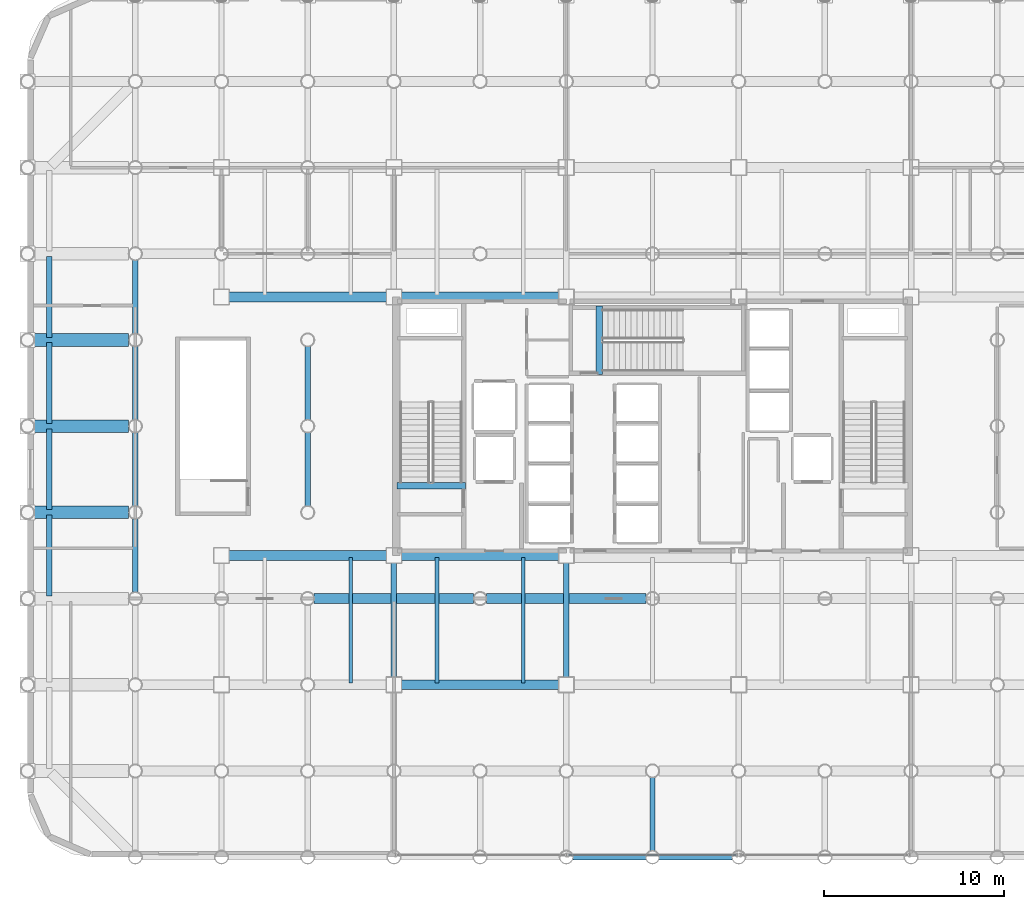
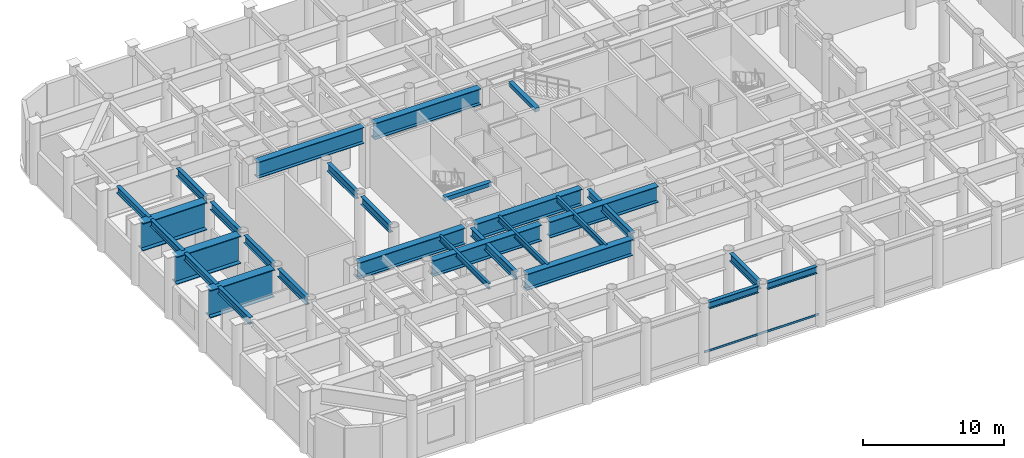
# One storey, part 3 of 20: 30 beams, 1 member, 1 element without a shape of its own.
"""IFC4 building model written with IfcOpenShell, lengths in metres."""

import ifcopenshell
import ifcopenshell.guid

model = None  # the IFC model being written
_history = None  # IfcOwnerHistory: only IFC2X3 demands one
_inside = {}  # id of a spatial element -> (the spatial element, [elements in it])
_under = {}  # id of a project, library or spatial element -> (it, [spatial elements below it])
_declared = {}  # id of a project -> (the project, [libraries it declares])
_typed = {}  # id of a type object -> (the type object, [elements of that type])
_made_of = {}  # id of a material, layer set ... -> (it, [elements and type objects made of it])


def new_model(schema):
    """Start an empty IFC model of exactly this schema.

    Asked for "IFC4X3", IfcOpenShell would pick the latest addendum, in which some entities
    have other attributes; the version numbers below select the first issue.
    IFC2X3 requires an IfcOwnerHistory on every rooted entity: one is made here for all.
    """
    global model, _history
    if schema == "IFC4X3":
        model = ifcopenshell.file(schema_version=(4, 3, 0, 0))
    else:
        model = ifcopenshell.file(schema=schema)
    _inside.clear()
    _under.clear()
    _declared.clear()
    _typed.clear()
    _made_of.clear()
    _history = None
    if model.schema == "IFC2X3":
        org = make("IfcOrganization", Name="unknown")
        user = make(
            "IfcPersonAndOrganization",
            ThePerson=make("IfcPerson", FamilyName="unknown"),
            TheOrganization=org,
        )
        app = make(
            "IfcApplication",
            ApplicationDeveloper=org,
            Version="unknown",
            ApplicationFullName="unknown",
            ApplicationIdentifier="unknown",
        )
        _history = make(
            "IfcOwnerHistory",
            OwningUser=user,
            OwningApplication=app,
            ChangeAction="ADDED",
            CreationDate=0,
        )
    return model


def make(cls, **values):
    """One entity of the class cls with the attributes given. An attribute that is None is left unset."""
    return model.create_entity(
        cls, **{name: value for name, value in values.items() if value is not None}
    )


def rooted(cls, **values):
    """An entity with a GlobalId (a new one), such as an element, a storey or a relation."""
    return make(cls, GlobalId=ifcopenshell.guid.new(), OwnerHistory=_history, **values)


def si_unit(unit_type, name, prefix=None):
    """IfcSIUnit, for example si_unit("LENGTHUNIT", "METRE", prefix="MILLI")."""
    return make("IfcSIUnit", UnitType=unit_type, Prefix=prefix, Name=name)


def assignment(units):
    """IfcUnitAssignment: the units of a project."""
    return None if units is None else make("IfcUnitAssignment", Units=units)


def point(xyz):
    """IfcCartesianPoint."""
    return None if xyz is None else make("IfcCartesianPoint", Coordinates=xyz)


def direction(xyz):
    """IfcDirection."""
    return None if xyz is None else make("IfcDirection", DirectionRatios=xyz)


def frame(location, z_axis=None, x_axis=None):
    """IfcAxis2Placement3D, a coordinate frame: its origin and axes. An axis left out is left unset."""
    return make(
        "IfcAxis2Placement3D",
        Location=point(location),
        Axis=direction(z_axis),
        RefDirection=direction(x_axis),
    )


def frame_2d(location, x_axis=None):
    """IfcAxis2Placement2D, a coordinate frame in the plane: its origin and x axis."""
    return make(
        "IfcAxis2Placement2D", Location=point(location), RefDirection=direction(x_axis)
    )


def origin():
    """The frame at (0, 0, 0) with its axes left unset."""
    return frame((0.0, 0.0, 0.0))


def origin_2d():
    """The frame at (0, 0) in the plane with its x axis left unset."""
    return frame_2d((0.0, 0.0))


def place(relative_to, where):
    """IfcLocalPlacement: puts the frame where relative to a parent placement (None: the world)."""
    return make(
        "IfcLocalPlacement", PlacementRelTo=relative_to, RelativePlacement=where
    )


def context(
    kind, dimensions, precision=None, world=None, true_north=None, identifier=None
):
    """IfcGeometricRepresentationContext, for example the 3D "Model" context."""
    return make(
        "IfcGeometricRepresentationContext",
        ContextIdentifier=identifier,
        ContextType=kind,
        CoordinateSpaceDimension=dimensions,
        Precision=precision,
        WorldCoordinateSystem=world,
        TrueNorth=true_north,
    )


def subcontext(parent, identifier, kind, view, scale=None):
    """IfcGeometricRepresentationSubContext, for example "Body" below "Model"."""
    return make(
        "IfcGeometricRepresentationSubContext",
        ContextIdentifier=identifier,
        ContextType=kind,
        ParentContext=parent,
        TargetScale=scale,
        TargetView=view,
    )


def project(units=None, contexts=None):
    """IfcProject with its units and contexts."""
    return rooted(
        "IfcProject",
        Name="project",
        RepresentationContexts=contexts,
        UnitsInContext=assignment(units),
    )


def spatial(cls, under=None, at=None, **own):
    """A site, building, storey or space (cls), placed at a placement, below another one or the project."""
    s = rooted(cls, ObjectPlacement=at, **own)
    if under is not None:
        _under.setdefault(under.id(), (under, []))[1].append(s)
    return s


def profile(cls, at=None, kind="AREA", **sizes):
    """A parametric profile (cls). Its sizes go by their IFC names, for example OverallWidth=200.0."""
    return make(cls, ProfileType=kind, Position=at, **sizes)


def rectangle(**sizes):
    """IfcRectangleProfileDef."""
    return profile("IfcRectangleProfileDef", **sizes)


def hollow_rectangle(**sizes):
    """IfcRectangleHollowProfileDef."""
    return profile("IfcRectangleHollowProfileDef", **sizes)


def i_section(**sizes):
    """IfcIShapeProfileDef."""
    return profile("IfcIShapeProfileDef", **sizes)


def extrude(swept, where, along, depth):
    """IfcExtrudedAreaSolid: the profile swept, set in the frame where, extruded along a direction by depth."""
    return make(
        "IfcExtrudedAreaSolid",
        SweptArea=swept,
        Position=where,
        ExtrudedDirection=direction(along),
        Depth=depth,
    )


def shape(context_of_items, identifier, shape_type, items):
    """IfcShapeRepresentation: the items that make up one representation, for example the "Body"."""
    return make(
        "IfcShapeRepresentation",
        ContextOfItems=context_of_items,
        RepresentationIdentifier=identifier,
        RepresentationType=shape_type,
        Items=items,
    )


def material(Name=None, Category=None):
    """IfcMaterial."""
    return make("IfcMaterial", Name=Name, Category=Category)


def layer(
    of_material, thickness, ventilated=None, Name=None, Category=None, Priority=None
):
    """IfcMaterialLayer: one layer of a wall or slab, of a material (None: an air gap)."""
    return make(
        "IfcMaterialLayer",
        Material=of_material,
        LayerThickness=thickness,
        IsVentilated=ventilated,
        Name=Name,
        Category=Category,
        Priority=Priority,
    )


def layer_set(layers, Name=None):
    """IfcMaterialLayerSet."""
    return make("IfcMaterialLayerSet", MaterialLayers=layers, LayerSetName=Name)


def material_profile(
    of_material, cross_section, Name=None, Category=None, Priority=None
):
    """IfcMaterialProfile: a cross section and its material."""
    return make(
        "IfcMaterialProfile",
        Name=Name,
        Material=of_material,
        Profile=cross_section,
        Priority=Priority,
        Category=Category,
    )


def profile_set(profiles, Name=None, composite=None):
    """IfcMaterialProfileSet."""
    return make(
        "IfcMaterialProfileSet",
        Name=Name,
        MaterialProfiles=profiles,
        CompositeProfile=composite,
    )


def made_of(thing, what):
    """Note that an element or type object is made of a material, layer set ...; save() writes the relation."""
    if what is not None:
        _made_of.setdefault(what.id(), (what, []))[1].append(thing)
    return thing


def type_object(cls, material=None, **own):
    """A type object (cls), such as IfcWallType, which elements share."""
    return made_of(rooted(cls, **own), material)


def element(
    cls,
    number,
    at=None,
    inside=None,
    cuts=None,
    type_object=None,
    material=None,
    context=None,
    identifier="Body",
    shape_type=None,
    held_by="IfcProductDefinitionShape",
    body=None,
    shapes=None,
    **own,
):
    """One element of the class cls, such as IfcWall. Its Tag is "e" and its number.

    at: its placement. inside: the storey or other place that contains it. cuts: it is an
    opening in that element (IfcRelVoidsElement). A single representation is given by context,
    identifier, shape_type and body (its items); several are given by shapes. held_by: the class
    of the entity that holds the representations. save() writes the other relations.
    """
    e = rooted(cls, Tag="e%d" % number, ObjectPlacement=at, **own)
    if body is not None:
        shapes = [shape(context, identifier, shape_type, body)]
    if shapes is not None:
        e.Representation = make(held_by, Representations=shapes)
    if inside is not None:
        _inside.setdefault(inside.id(), (inside, []))[1].append(e)
    if cuts is not None:
        rooted(
            "IfcRelVoidsElement", RelatingBuildingElement=cuts, RelatedOpeningElement=e
        )
    if type_object is not None:
        _typed.setdefault(type_object.id(), (type_object, []))[1].append(e)
    return made_of(e, material)


def aggregate(whole, parts):
    """IfcRelAggregates: a whole, such as a stair, and the parts it consists of."""
    return rooted("IfcRelAggregates", RelatingObject=whole, RelatedObjects=parts)


def save(model, path):
    """Write the relations noted so far, then the file.

    IfcRelAggregates (storeys below a building ...), IfcRelContainedInSpatialStructure (elements
    in a storey), IfcRelDefinesByType, IfcRelAssociatesMaterial and IfcRelDeclares: one each for
    every whole, place, type object, material and project.
    """
    for whole, parts in _under.values():
        aggregate(whole, parts)
    for where, things in _inside.values():
        rooted(
            "IfcRelContainedInSpatialStructure",
            RelatedElements=things,
            RelatingStructure=where,
        )
    for kind, things in _typed.values():
        rooted("IfcRelDefinesByType", RelatedObjects=things, RelatingType=kind)
    for what, things in _made_of.values():
        rooted("IfcRelAssociatesMaterial", RelatedObjects=things, RelatingMaterial=what)
    for by, libraries in _declared.values():
        rooted("IfcRelDeclares", RelatingContext=by, RelatedDefinitions=libraries)
    model.write(path)


model = new_model("IFC4")

# Units and contexts
model_context = context("Model", 3, precision=1e-05, world=origin(), true_north=direction((0.0, 1.0)))
body_context = subcontext(model_context, "Body", "Model", "MODEL_VIEW")
ifc_project = project(units=[si_unit("LENGTHUNIT", "METRE"), si_unit("AREAUNIT", "SQUARE_METRE"), si_unit("VOLUMEUNIT", "CUBIC_METRE"), si_unit("PLANEANGLEUNIT", "RADIAN"), si_unit("MASSUNIT", "GRAM", prefix="KILO")], contexts=[model_context])

# Site, building, storey
site_placement = place(None, origin())
site = spatial("IfcSite", under=ifc_project, at=site_placement, CompositionType="ELEMENT")
building_placement = place(site_placement, origin())
building = spatial("IfcBuilding", under=site, at=building_placement, Name="Kallvorn Hotel Tower", CompositionType="ELEMENT")
storey_placement = place(building_placement, frame((0.0, 0.0, 24.60009765625)))
storey = spatial("IfcBuildingStorey", under=building, at=storey_placement, Name="L04", CompositionType="ELEMENT", Elevation=24.60009765625)

# Beams
ifc_material_1 = material(Name="Structural steel S355JR", Category="steel")
ifc_material_profile_1 = material_profile(ifc_material_1, i_section(OverallWidth=0.300048828125, OverallDepth=0.60009765625, WebThickness=0.015380859375, FlangeThickness=0.030029296875, at=origin_2d()), Name="HE 600 B")
ifc_profile_set_1 = profile_set([ifc_material_profile_1], Name="Structural steel S355JR")
beam_type_1 = type_object("IfcBeamType", Name="BM_HE600B", PredefinedType="SPANDREL", material=ifc_profile_set_1)
for number, where, z_axis, x_axis, name in (
    (1, (-4.428955078125, -24.0, 4.919921875), (1.0, 0.0, 0.0), (0.0, 1.0, 0.0), "L05 Perimeter Spandrel 185"),
    (2, (0.37109375, -24.0, 4.919921875), (1.0, 0.0, 0.0), (0.0, 1.0, 0.0), "L05 Perimeter Spandrel 186"),
):
    element("IfcBeam", number, at=place(storey_placement, frame(where, z_axis=z_axis, x_axis=x_axis)), inside=storey, type_object=beam_type_1, Name=name, PredefinedType="SPANDREL", context=body_context, shape_type="SweptSolid", body=[
        extrude(i_section(OverallWidth=0.300048828125, OverallDepth=0.60009765625, WebThickness=0.015380859375, FlangeThickness=0.030029296875, at=origin_2d()), origin(), (0.0, 0.0, 1.0), 4.057861328125),
    ])
for number, where, z_axis, x_axis, name in (
    (3, (-33.60009765625, -9.449951171875, 4.919921875), (0.0, 1.0, 0.0), (-1.0, 0.0, 0.0), "L05 Perimeter Spandrel 205"),
    (4, (-33.60009765625, -4.64990234375, 4.919921875), (0.0, 1.0, 0.0), (-1.0, 0.0, 0.0), "L05 Perimeter Spandrel 206"),
    (5, (-33.60009765625, 0.14990234375, 4.919921875), (0.0, 1.0, 0.0), (-1.0, 0.0, 0.0), "L05 Perimeter Spandrel 207"),
    (6, (-33.60009765625, 4.949951171875, 4.919921875), (0.0, 1.0, 0.0), (-1.0, 0.0, 0.0), "L05 Perimeter Spandrel 208"),
):
    element("IfcBeam", number, at=place(storey_placement, frame(where, z_axis=z_axis, x_axis=x_axis)), inside=storey, type_object=beam_type_1, Name=name, PredefinedType="SPANDREL", context=body_context, shape_type="SweptSolid", body=[
        extrude(i_section(OverallWidth=0.300048828125, OverallDepth=0.60009765625, WebThickness=0.015380859375, FlangeThickness=0.030029296875, at=origin_2d()), origin(), (0.0, 0.0, 1.0), 4.5),
    ])
ifc_material_2 = material(Name="Structural steel S355JR", Category="steel")
ifc_material_profile_2 = material_profile(ifc_material_2, i_section(OverallWidth=0.300048828125, OverallDepth=0.699951171875, WebThickness=0.01708984375, FlangeThickness=0.031982421875, at=origin_2d()), Name="HE 700 B")
ifc_profile_set_2 = profile_set([ifc_material_profile_2], Name="Structural steel S355JR")
beam_type_2 = type_object("IfcBeamType", Name="BM_HE700B", PredefinedType="BEAM", material=ifc_profile_set_2)
beam_1_placement = place(storey_placement, frame((-28.800048828125, -9.243896484375, 4.869873046875), z_axis=(0.0, 1.0, 0.0), x_axis=(-1.0, 0.0, 0.0)))
element("IfcBeam", 7, at=beam_1_placement, inside=storey, type_object=beam_type_2, Name="L05 Primary Y-Girder 91", PredefinedType="BEAM", context=body_context, shape_type="SweptSolid", body=[
    extrude(i_section(OverallWidth=0.300048828125, OverallDepth=0.699951171875, WebThickness=0.01708984375, FlangeThickness=0.031982421875, at=origin_2d()), origin(), (0.0, 0.0, 1.0), 4.087890625),
])
for number, where, z_axis, x_axis, name in (
    (8, (-28.800048828125, -4.444091796875, 4.869873046875), (0.0, 1.0, 0.0), (-1.0, 0.0, 0.0), "L05 Primary Y-Girder 92"),
    (9, (-28.800048828125, 0.35595703125, 4.869873046875), (0.0, 1.0, 0.0), (-1.0, 0.0, 0.0), "L05 Primary Y-Girder 93"),
):
    element("IfcBeam", number, at=place(storey_placement, frame(where, z_axis=z_axis, x_axis=x_axis)), inside=storey, type_object=beam_type_2, Name=name, PredefinedType="BEAM", context=body_context, shape_type="SweptSolid", body=[
        extrude(i_section(OverallWidth=0.300048828125, OverallDepth=0.699951171875, WebThickness=0.01708984375, FlangeThickness=0.031982421875, at=origin_2d()), origin(), (0.0, 0.0, 1.0), 4.088134765625),
    ])
beam_2_placement = place(storey_placement, frame((-28.800048828125, 5.156005859375, 4.869873046875), z_axis=(0.0, 1.0, 0.0), x_axis=(-1.0, 0.0, 0.0)))
element("IfcBeam", 10, at=beam_2_placement, inside=storey, type_object=beam_type_2, Name="L05 Primary Y-Girder 94", PredefinedType="BEAM", context=body_context, shape_type="SweptSolid", body=[
    extrude(i_section(OverallWidth=0.300048828125, OverallDepth=0.699951171875, WebThickness=0.01708984375, FlangeThickness=0.031982421875, at=origin_2d()), origin(), (0.0, 0.0, 1.0), 4.087890625),
])
for number, where, z_axis, x_axis, name in (
    (11, (-19.199951171875, -4.444091796875, 4.869873046875), (0.0, 1.0, 0.0), (-1.0, 0.0, 0.0), "L05 Primary Y-Girder 110"),
    (12, (-19.199951171875, 0.35595703125, 4.869873046875), (0.0, 1.0, 0.0), (-1.0, 0.0, 0.0), "L05 Primary Y-Girder 111"),
):
    element("IfcBeam", number, at=place(storey_placement, frame(where, z_axis=z_axis, x_axis=x_axis)), inside=storey, type_object=beam_type_2, Name=name, PredefinedType="BEAM", context=body_context, shape_type="SweptSolid", body=[
        extrude(i_section(OverallWidth=0.300048828125, OverallDepth=0.699951171875, WebThickness=0.01708984375, FlangeThickness=0.031982421875, at=origin_2d()), origin(), (0.0, 0.0, 1.0), 4.088134765625),
    ])
for number, where, z_axis, x_axis, name in (
    (13, (-14.39990234375, -13.97509765625, 4.869873046875), (0.0, 1.0, 0.0), (-1.0, 0.0, 0.0), "L05 Primary Y-Girder 118"),
    (14, (-4.800048828125, -13.97509765625, 4.869873046875), (0.0, 1.0, 0.0), (-1.0, 0.0, 0.0), "L05 Primary Y-Girder 128"),
):
    element("IfcBeam", number, at=place(storey_placement, frame(where, z_axis=z_axis, x_axis=x_axis)), inside=storey, type_object=beam_type_2, Name=name, PredefinedType="BEAM", context=body_context, shape_type="SweptSolid", body=[
        extrude(i_section(OverallWidth=0.300048828125, OverallDepth=0.699951171875, WebThickness=0.01708984375, FlangeThickness=0.031982421875, at=origin_2d()), origin(), (0.0, 0.0, 1.0), 6.35009765625),
    ])
beam_3_placement = place(storey_placement, frame((0.0, -23.64404296875, 4.869873046875), z_axis=(0.0, 1.0, 0.0), x_axis=(-1.0, 0.0, 0.0)))
element("IfcBeam", 15, at=beam_3_placement, inside=storey, type_object=beam_type_2, Name="L05 Primary Y-Girder 132", PredefinedType="BEAM", context=body_context, shape_type="SweptSolid", body=[
    extrude(i_section(OverallWidth=0.300048828125, OverallDepth=0.699951171875, WebThickness=0.01708984375, FlangeThickness=0.031982421875, at=origin_2d()), origin(), (0.0, 0.0, 1.0), 4.088134765625),
])
ifc_material_3 = material(Name="Structural steel S355JR", Category="steel")
ifc_material_profile_3 = material_profile(ifc_material_3, i_section(OverallWidth=0.199951171875, OverallDepth=0.5, WebThickness=0.01025390625, FlangeThickness=0.01611328125, at=origin_2d()), Name="IPE 500")
ifc_profile_set_3 = profile_set([ifc_material_profile_3], Name="Structural steel S355JR")
beam_type_3 = type_object("IfcBeamType", Name="BM_IPE500", PredefinedType="JOIST", material=ifc_profile_set_3)
for number, where, z_axis, x_axis, name in (
    (16, (-16.800048828125, -14.300048828125, 4.969970703125), (0.0, 1.0, 0.0), (-1.0, 0.0, 0.0), "L05 Secondary Composite Joist 223"),
    (17, (-12.0, -14.300048828125, 4.969970703125), (0.0, 1.0, 0.0), (-1.0, 0.0, 0.0), "L05 Secondary Composite Joist 225"),
    (18, (-7.199951171875, -14.300048828125, 4.969970703125), (0.0, 1.0, 0.0), (-1.0, 0.0, 0.0), "L05 Secondary Composite Joist 227"),
):
    element("IfcBeam", number, at=place(storey_placement, frame(where, z_axis=z_axis, x_axis=x_axis)), inside=storey, type_object=beam_type_3, Name=name, PredefinedType="JOIST", context=body_context, shape_type="SweptSolid", body=[
        extrude(i_section(OverallWidth=0.199951171875, OverallDepth=0.5, WebThickness=0.01025390625, FlangeThickness=0.01611328125, at=origin_2d()), origin(), (0.0, 0.0, 1.0), 7.0),
    ])
ifc_material_4 = material(Name="Structural steel S355JR", Category="steel")
ifc_material_profile_4 = material_profile(ifc_material_4, i_section(OverallWidth=0.550048828125, OverallDepth=1.39990234375, WebThickness=0.02490234375, FlangeThickness=0.044921875, at=origin_2d()), Name="PG 1400x550x25x45")
ifc_profile_set_4 = profile_set([ifc_material_profile_4], Name="Structural steel S355JR")
beam_type_4 = type_object("IfcBeamType", Name="BM_PG_1400", PredefinedType="BEAM", material=ifc_profile_set_4)
beam_4_placement = place(storey_placement, frame((-13.97509765625, -14.39990234375, 4.52001953125), z_axis=(1.0, 0.0, 0.0), x_axis=(0.0, 1.0, 0.0)))
element("IfcBeam", 19, at=beam_4_placement, inside=storey, type_object=beam_type_4, Name="L05 Primary X-Girder 27", PredefinedType="BEAM", context=body_context, shape_type="SweptSolid", body=[
    extrude(i_section(OverallWidth=0.550048828125, OverallDepth=1.39990234375, WebThickness=0.02490234375, FlangeThickness=0.044921875, at=origin_2d()), origin(), (0.0, 0.0, 1.0), 8.75),
])
for number, where, z_axis, x_axis, name in (
    (20, (-18.843994140625, -9.60009765625, 4.52001953125), (1.0, 0.0, 0.0), (0.0, 1.0, 0.0), "L05 Primary X-Girder 37"),
    (21, (-9.243896484375, -9.60009765625, 4.52001953125), (1.0, 0.0, 0.0), (0.0, 1.0, 0.0), "L05 Primary X-Girder 38"),
):
    element("IfcBeam", number, at=place(storey_placement, frame(where, z_axis=z_axis, x_axis=x_axis)), inside=storey, type_object=beam_type_4, Name=name, PredefinedType="BEAM", context=body_context, shape_type="SweptSolid", body=[
        extrude(i_section(OverallWidth=0.550048828125, OverallDepth=1.39990234375, WebThickness=0.02490234375, FlangeThickness=0.044921875, at=origin_2d()), origin(), (0.0, 0.0, 1.0), 8.887939453125),
    ])
for number, where, z_axis, x_axis, name in (
    (22, (-23.574951171875, -7.199951171875, 4.52001953125), (1.0, 0.0, 0.0), (0.0, 1.0, 0.0), "L05 Primary X-Girder 44"),
    (23, (-13.97509765625, -7.199951171875, 4.52001953125), (1.0, 0.0, 0.0), (0.0, 1.0, 0.0), "L05 Primary X-Girder 45"),
    (24, (-23.574951171875, 7.199951171875, 4.52001953125), (1.0, 0.0, 0.0), (0.0, 1.0, 0.0), "L05 Primary X-Girder 48"),
    (25, (-13.97509765625, 7.199951171875, 4.52001953125), (1.0, 0.0, 0.0), (0.0, 1.0, 0.0), "L05 Primary X-Girder 49"),
):
    element("IfcBeam", number, at=place(storey_placement, frame(where, z_axis=z_axis, x_axis=x_axis)), inside=storey, type_object=beam_type_4, Name=name, PredefinedType="BEAM", context=body_context, shape_type="SweptSolid", body=[
        extrude(i_section(OverallWidth=0.550048828125, OverallDepth=1.39990234375, WebThickness=0.02490234375, FlangeThickness=0.044921875, at=origin_2d()), origin(), (0.0, 0.0, 1.0), 8.75),
    ])
ifc_material_5 = material(Name="Structural steel S355JR", Category="steel")
ifc_material_profile_5 = material_profile(ifc_material_5, i_section(OverallWidth=0.699951171875, OverallDepth=2.39990234375, WebThickness=0.031982421875, FlangeThickness=0.06005859375, at=origin_2d()), Name="PG 2400x700x32x60")
ifc_profile_set_5 = profile_set([ifc_material_profile_5], Name="Structural steel S355JR")
beam_type_5 = type_object("IfcBeamType", Name="BM_PG_2400", PredefinedType="BEAM", material=ifc_profile_set_5)
for number, where, z_axis, x_axis, name in (
    (26, (-34.428955078125, -4.800048828125, 4.02001953125), (1.0, 0.0, 0.0), (0.0, 1.0, 0.0), "L05 Setback Transfer Girder 04"),
    (27, (-34.428955078125, 0.0, 4.02001953125), (1.0, 0.0, 0.0), (0.0, 1.0, 0.0), "L05 Setback Transfer Girder 05"),
    (28, (-34.428955078125, 4.800048828125, 4.02001953125), (1.0, 0.0, 0.0), (0.0, 1.0, 0.0), "L05 Setback Transfer Girder 06"),
):
    element("IfcBeam", number, at=place(storey_placement, frame(where, z_axis=z_axis, x_axis=x_axis)), inside=storey, type_object=beam_type_5, Name=name, PredefinedType="BEAM", context=body_context, shape_type="SweptSolid", body=[
        extrude(i_section(OverallWidth=0.699951171875, OverallDepth=2.39990234375, WebThickness=0.031982421875, FlangeThickness=0.06005859375, at=origin_2d()), origin(), (0.0, 0.0, 1.0), 5.258056640625),
    ])
ifc_material_6 = material(Name="Concrete C50/60", Category="concrete")
ifc_material_profile_6 = material_profile(ifc_material_6, rectangle(XDim=0.360107421875, YDim=0.340087890625, at=origin_2d()), Name="RC 360x340")
ifc_profile_set_6 = profile_set([ifc_material_profile_6], Name="Concrete C50/60")
beam_type_6 = type_object("IfcBeamType", Name="BM_RC_400x360", PredefinedType="BEAM", material=ifc_profile_set_6)
beam_5_placement = place(storey_placement, frame((-10.419921875, -3.31005859375, 5.0498046875), z_axis=(-1.0, 0.0, 0.0), x_axis=(0.0, -1.0, 0.0)))
element("IfcBeam", 29, at=beam_5_placement, inside=storey, type_object=beam_type_6, Name="L05 Stair ST1 Arrival Trimmer Beam", PredefinedType="BEAM", context=body_context, shape_type="SweptSolid", body=[
    extrude(rectangle(XDim=0.360107421875, YDim=0.340087890625, at=origin_2d()), origin(), (0.0, 0.0, 1.0), 3.820068359375),
])
beam_6_placement = place(storey_placement, frame((-2.9599609375, 2.8701171875, 5.0498046875), z_axis=(0.0, 1.0, 0.0), x_axis=(-1.0, 0.0, 0.0)))
element("IfcBeam", 30, at=beam_6_placement, inside=storey, type_object=beam_type_6, Name="L05 Stair ST3 Arrival Trimmer Beam", PredefinedType="BEAM", context=body_context, shape_type="SweptSolid", body=[
    extrude(rectangle(XDim=0.360107421875, YDim=0.340087890625, at=origin_2d()), origin(), (0.0, 0.0, 1.0), 3.81982421875),
])

# Curtain wall, member
ifc_material_7 = material(Name="Thermally broken black-anodised aluminium AA 6063-T6", Category="aluminium")
ifc_layer = layer(ifc_material_7, 0.219970703125)
ifc_layer_set = layer_set([ifc_layer], Name="CW_SYS_2_PODIUM_CASC")
curtain_wall_type = type_object("IfcCurtainWallType", Name="CW_SYS_2_PODIUM_CASC", PredefinedType="USERDEFINED", material=ifc_layer_set)
curtain_wall_placement = place(storey_placement, origin())
curtain_wall = element("IfcCurtainWall", 31, at=curtain_wall_placement, inside=storey, type_object=curtain_wall_type, Name="L04 Dark-Glass Curtain Wall CW-L04-S2", ObjectType="UNITISED CURTAIN WALL", PredefinedType="USERDEFINED")
ifc_material_8 = material(Name="Thermally broken black-anodised aluminium AA 6063-T6", Category="aluminium")
ifc_material_profile_7 = material_profile(ifc_material_8, hollow_rectangle(XDim=0.070068359375, YDim=0.179931640625, WallThickness=0.00390625, at=origin_2d()), Name="TRN 180x70")
ifc_profile_set_7 = profile_set([ifc_material_profile_7], Name="Thermally broken black-anodised aluminium AA 6063-T6")
member_type = type_object("IfcMemberType", Name="CW_TRANSOM_180x70", PredefinedType="USERDEFINED", material=ifc_profile_set_7)
member_placement = place(storey_placement, frame((-4.7099609375, -23.8798828125, 0.849853515625), z_axis=(1.0, 0.0, 0.0), x_axis=(0.0, 1.0, 0.0)))
member = element("IfcMember", 32, at=member_placement, type_object=member_type, Name="CW-L04-S2 Transom 00M", ObjectType="TRANSOM", PredefinedType="USERDEFINED", context=body_context, shape_type="SweptSolid", body=[
    extrude(hollow_rectangle(XDim=0.070068359375, YDim=0.179931640625, WallThickness=0.00390625, at=origin_2d()), origin(), (0.0, 0.0, 1.0), 9.419921875),
])
aggregate(curtain_wall, [member])

save(model, "model.ifc")
